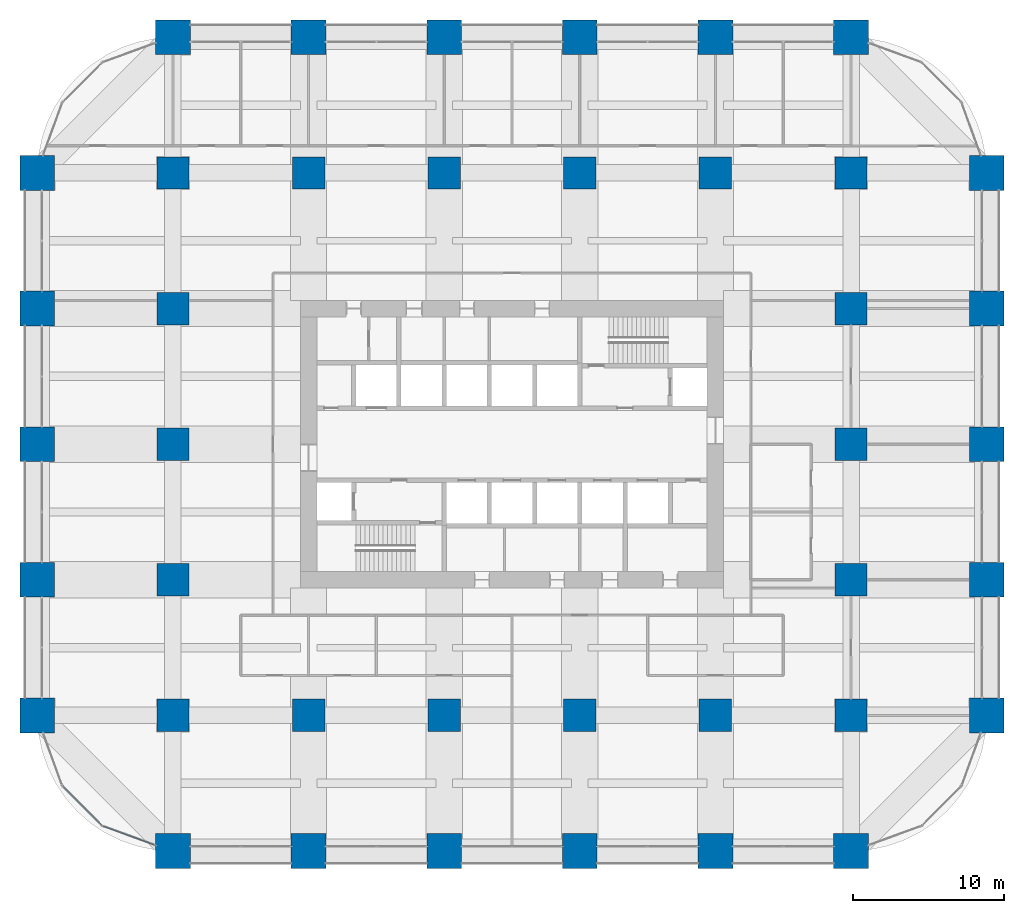
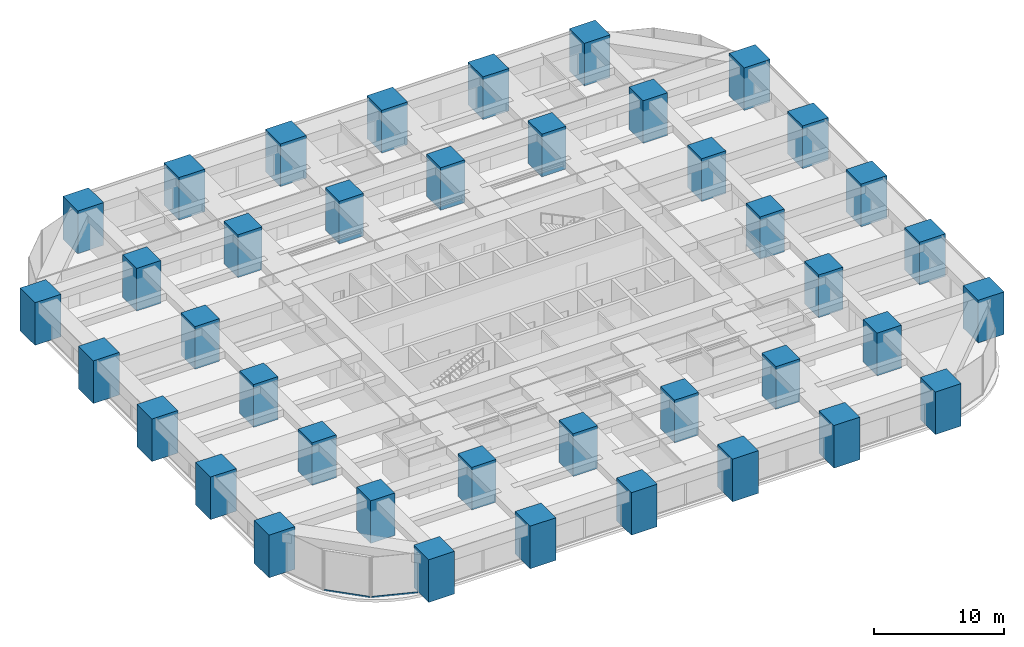
# One storey, part 1 of 43: 40 columns, 2 members, 2 elements without a shape of their own.
"""IFC4 building model written with IfcOpenShell, lengths in metres."""

from ifc_helpers import new_model, si_unit, direction, frame, origin, origin_2d, place, context, subcontext, project, spatial, rectangle, hollow_rectangle, extrude, material, material_profile, profile_set, type_object, element, aggregate, save


model = new_model("IFC4")

# Units and contexts
model_context = context("Model", 3, precision=1e-05, world=origin(), true_north=direction((0.0, 1.0)))
body_context = subcontext(model_context, "Body", "Model", "MODEL_VIEW")
ifc_project = project(units=[si_unit("LENGTHUNIT", "METRE"), si_unit("AREAUNIT", "SQUARE_METRE"), si_unit("VOLUMEUNIT", "CUBIC_METRE"), si_unit("PLANEANGLEUNIT", "RADIAN"), si_unit("MASSUNIT", "GRAM", prefix="KILO")], contexts=[model_context])

# Site, building, storey
site_placement = place(None, origin())
site = spatial("IfcSite", under=ifc_project, at=site_placement, CompositionType="ELEMENT")
building_placement = place(site_placement, origin())
building = spatial("IfcBuilding", under=site, at=building_placement, Name="Zorevar Civic Tower", CompositionType="ELEMENT")
storey_placement = place(building_placement, frame((0.0, 0.0, 67.800048828125)))
storey = spatial("IfcBuildingStorey", under=building, at=storey_placement, Name="L16", CompositionType="ELEMENT", Elevation=67.800048828125)

# Columns
ifc_material_1 = material(Name="Concrete C50/60", Category="concrete")
ifc_material_profile_1 = material_profile(ifc_material_1, rectangle(XDim=2.14990234375, YDim=2.14990234375, at=origin_2d()), Name="RC 2150x2150")
ifc_profile_set_1 = profile_set([ifc_material_profile_1], Name="Concrete C50/60")
column_type_1 = type_object("IfcColumnType", Name="Column RC 2150x2150", PredefinedType="COLUMN", material=ifc_profile_set_1)
for number, where, z_axis, x_axis, name in (
    (1, (9.0, 9.0, 0.0), (0.0, 0.0, 1.0), (1.0, 0.0, 0.0), "Column 3B L16"),
    (2, (9.0, 18.0, 0.0), (0.0, 0.0, 1.0), (1.0, 0.0, 0.0), "Column 3C L16"),
    (3, (9.0, 27.0, 0.0), (0.0, 0.0, 1.0), (1.0, 0.0, 0.0), "Column 3D L16"),
    (4, (9.0, 36.0, 0.0), (0.0, 0.0, 1.0), (1.0, 0.0, 0.0), "Column 3E L16"),
    (5, (9.0, 45.0, 0.0), (0.0, 0.0, 1.0), (1.0, 0.0, 0.0), "Column 3F L16"),
    (6, (18.0, 9.0, 0.0), (0.0, 0.0, 1.0), (1.0, 0.0, 0.0), "Column 4B L16"),
    (7, (18.0, 45.0, 0.0), (0.0, 0.0, 1.0), (1.0, 0.0, 0.0), "Column 4F L16"),
    (8, (27.0, 9.0, 0.0), (0.0, 0.0, 1.0), (1.0, 0.0, 0.0), "Column 5B L16"),
    (9, (27.0, 45.0, 0.0), (0.0, 0.0, 1.0), (1.0, 0.0, 0.0), "Column 5F L16"),
    (10, (36.0, 9.0, 0.0), (0.0, 0.0, 1.0), (1.0, 0.0, 0.0), "Column 6B L16"),
    (11, (36.0, 45.0, 0.0), (0.0, 0.0, 1.0), (1.0, 0.0, 0.0), "Column 6F L16"),
    (12, (45.0, 9.0, 0.0), (0.0, 0.0, 1.0), (1.0, 0.0, 0.0), "Column 7B L16"),
    (13, (45.0, 45.0, 0.0), (0.0, 0.0, 1.0), (1.0, 0.0, 0.0), "Column 7F L16"),
    (14, (54.0, 9.0, 0.0), (0.0, 0.0, 1.0), (1.0, 0.0, 0.0), "Column 8B L16"),
    (15, (54.0, 18.0, 0.0), (0.0, 0.0, 1.0), (1.0, 0.0, 0.0), "Column 8C L16"),
    (16, (54.0, 27.0, 0.0), (0.0, 0.0, 1.0), (1.0, 0.0, 0.0), "Column 8D L16"),
    (17, (54.0, 36.0, 0.0), (0.0, 0.0, 1.0), (1.0, 0.0, 0.0), "Column 8E L16"),
    (18, (54.0, 45.0, 0.0), (0.0, 0.0, 1.0), (1.0, 0.0, 0.0), "Column 8F L16"),
):
    element("IfcColumn", number, at=place(storey_placement, frame(where, z_axis=z_axis, x_axis=x_axis)), inside=storey, type_object=column_type_1, Name=name, PredefinedType="COLUMN", context=body_context, shape_type="SweptSolid", body=[
        extrude(rectangle(XDim=2.14990234375, YDim=2.14990234375, at=origin_2d()), origin(), (0.0, 0.0, 1.0), 4.0),
    ])
ifc_material_2 = material(Name="Concrete C50/60", Category="concrete")
ifc_material_profile_2 = material_profile(ifc_material_2, rectangle(XDim=2.300048828125, YDim=2.300048828125, at=origin_2d()), Name="RC 2300x2300")
ifc_profile_set_2 = profile_set([ifc_material_profile_2], Name="Concrete C50/60")
column_type_2 = type_object("IfcColumnType", Name="Column RC 2300x2300", PredefinedType="COLUMN", material=ifc_profile_set_2)
for number, where, z_axis, x_axis, name in (
    (19, (0.0, 9.0, 0.0), (0.0, 0.0, 1.0), (1.0, 0.0, 0.0), "Column 2B L16"),
    (20, (0.0, 18.0, 0.0), (0.0, 0.0, 1.0), (1.0, 0.0, 0.0), "Column 2C L16"),
    (21, (0.0, 27.0, 0.0), (0.0, 0.0, 1.0), (1.0, 0.0, 0.0), "Column 2D L16"),
    (22, (0.0, 36.0, 0.0), (0.0, 0.0, 1.0), (1.0, 0.0, 0.0), "Column 2E L16"),
    (23, (0.0, 45.0, 0.0), (0.0, 0.0, 1.0), (1.0, 0.0, 0.0), "Column 2F L16"),
    (24, (9.0, 0.0, 0.0), (0.0, 0.0, 1.0), (1.0, 0.0, 0.0), "Column 3A L16"),
    (25, (9.0, 54.0, 0.0), (0.0, 0.0, 1.0), (1.0, 0.0, 0.0), "Column 3G L16"),
    (26, (18.0, 0.0, 0.0), (0.0, 0.0, 1.0), (1.0, 0.0, 0.0), "Column 4A L16"),
    (27, (18.0, 54.0, 0.0), (0.0, 0.0, 1.0), (1.0, 0.0, 0.0), "Column 4G L16"),
    (28, (27.0, 0.0, 0.0), (0.0, 0.0, 1.0), (1.0, 0.0, 0.0), "Column 5A L16"),
    (29, (27.0, 54.0, 0.0), (0.0, 0.0, 1.0), (1.0, 0.0, 0.0), "Column 5G L16"),
    (30, (36.0, 0.0, 0.0), (0.0, 0.0, 1.0), (1.0, 0.0, 0.0), "Column 6A L16"),
    (31, (36.0, 54.0, 0.0), (0.0, 0.0, 1.0), (1.0, 0.0, 0.0), "Column 6G L16"),
    (32, (45.0, 0.0, 0.0), (0.0, 0.0, 1.0), (1.0, 0.0, 0.0), "Column 7A L16"),
    (33, (45.0, 54.0, 0.0), (0.0, 0.0, 1.0), (1.0, 0.0, 0.0), "Column 7G L16"),
    (34, (54.0, 0.0, 0.0), (0.0, 0.0, 1.0), (1.0, 0.0, 0.0), "Column 8A L16"),
    (35, (54.0, 54.0, 0.0), (0.0, 0.0, 1.0), (1.0, 0.0, 0.0), "Column 8G L16"),
    (36, (63.0, 9.0, 0.0), (0.0, 0.0, 1.0), (1.0, 0.0, 0.0), "Column 9B L16"),
    (37, (63.0, 18.0, 0.0), (0.0, 0.0, 1.0), (1.0, 0.0, 0.0), "Column 9C L16"),
    (38, (63.0, 27.0, 0.0), (0.0, 0.0, 1.0), (1.0, 0.0, 0.0), "Column 9D L16"),
    (39, (63.0, 36.0, 0.0), (0.0, 0.0, 1.0), (1.0, 0.0, 0.0), "Column 9E L16"),
    (40, (63.0, 45.0, 0.0), (0.0, 0.0, 1.0), (1.0, 0.0, 0.0), "Column 9F L16"),
):
    element("IfcColumn", number, at=place(storey_placement, frame(where, z_axis=z_axis, x_axis=x_axis)), inside=storey, type_object=column_type_2, Name=name, PredefinedType="COLUMN", context=body_context, shape_type="SweptSolid", body=[
        extrude(rectangle(XDim=2.300048828125, YDim=2.300048828125, at=origin_2d()), origin(), (0.0, 0.0, 1.0), 4.0),
    ])

# Curtain wall, member
ifc_material_3 = material(Name="Dark grey solar-control glass in black aluminium frame", Category="aluminium")
curtain_wall_type = type_object("IfcCurtainWallType", Name="Curtain wall CW2 low zone", PredefinedType="NOTDEFINED", material=ifc_material_3)
curtain_wall_1_placement = place(storey_placement, origin())
curtain_wall_1 = element("IfcCurtainWall", 41, at=curtain_wall_1_placement, inside=storey, type_object=curtain_wall_type, Name="CW2 L16", PredefinedType="NOTDEFINED")
ifc_material_4 = material(Name="Aluminium, black anodised", Category="aluminium")
ifc_material_profile_3 = material_profile(ifc_material_4, hollow_rectangle(XDim=0.06005859375, YDim=0.14990234375, WallThickness=0.00390625, at=origin_2d()), Name="AL 150x60x4")
ifc_profile_set_3 = profile_set([ifc_material_profile_3], Name="Aluminium, black anodised")
member_type = type_object("IfcMemberType", Name="CW2 transom AL 150x60x4", PredefinedType="USERDEFINED", material=ifc_profile_set_3)
member_1_placement = place(storey_placement, frame((1.70751953125, 4.279052734375, 0.030029296875), z_axis=(0.707106781187, -0.707106781187, 0.0), x_axis=(0.707106781187, 0.707106781187, 0.0)))
member_1 = element("IfcMember", 42, at=member_1_placement, type_object=member_type, Name="CW2 sill transom", ObjectType="TRANSOM", PredefinedType="USERDEFINED", context=body_context, shape_type="SweptSolid", body=[
    extrude(hollow_rectangle(XDim=0.06005859375, YDim=0.14990234375, WallThickness=0.00390625, at=origin_2d()), origin(), (0.0, 0.0, 1.0), 3.63671875),
])
aggregate(curtain_wall_1, [member_1])

curtain_wall_2_placement = place(storey_placement, origin())
curtain_wall_2 = element("IfcCurtainWall", 43, at=curtain_wall_2_placement, inside=storey, type_object=curtain_wall_type, Name="CW2 L16", PredefinedType="NOTDEFINED")
member_2_placement = place(storey_placement, frame((4.377685546875, 1.64453125, 0.030029296875), z_axis=(0.939318180432, -0.343047162808, 0.0), x_axis=(0.343047162808, 0.939318180432, 0.0)))
member_2 = element("IfcMember", 44, at=member_2_placement, type_object=member_type, Name="CW2 sill transom", ObjectType="TRANSOM", PredefinedType="USERDEFINED", context=body_context, shape_type="SweptSolid", body=[
    extrude(hollow_rectangle(XDim=0.06005859375, YDim=0.14990234375, WallThickness=0.00390625, at=origin_2d()), origin(), (0.0, 0.0, 1.0), 3.63671875),
])
aggregate(curtain_wall_2, [member_2])

save(model, "model.ifc")
